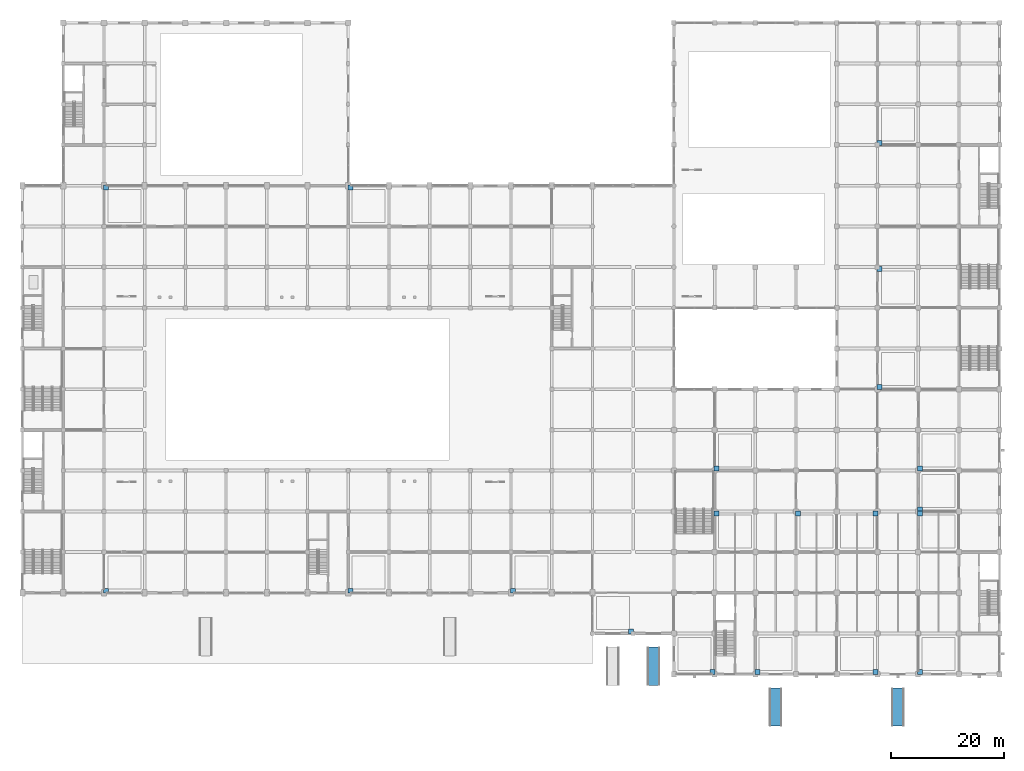
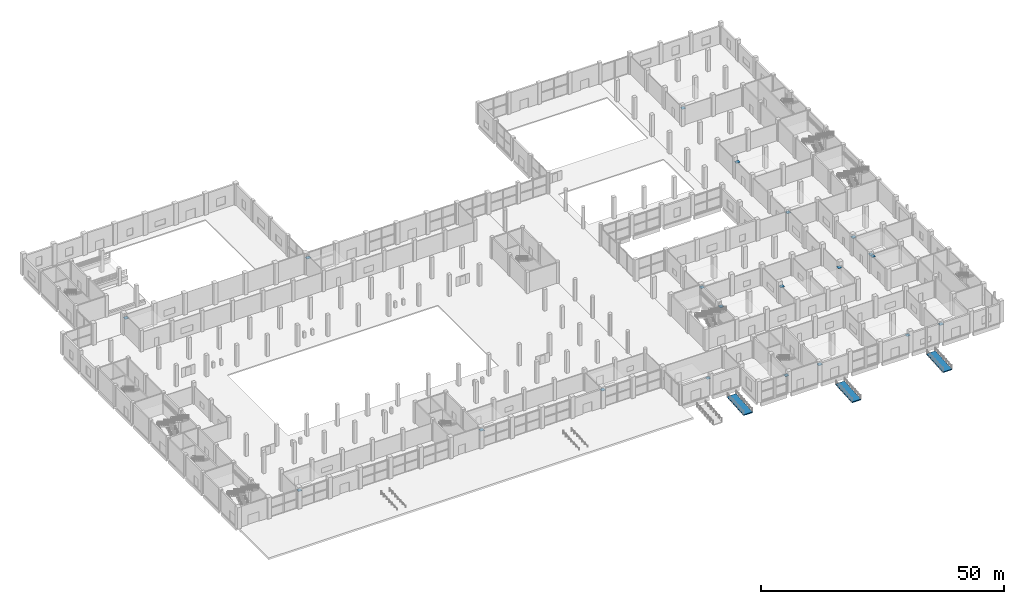
# One storey, part 56 of 70: 20 discrete accessories, 3 ramp flights, 3 elements without a shape of their own.
"""IFC4 building model written with IfcOpenShell, lengths in metres."""

from ifc_helpers import new_model, si_unit, direction, frame, origin, origin_2d, place, context, subcontext, project, spatial, polyline, rectangle, outline, extrude, material, layer, layer_set, type_object, element, aggregate, save


model = new_model("IFC4")

# Units and contexts
model_context = context("Model", 3, precision=1e-05, world=origin(), true_north=direction((0.0, 1.0)))
body_context = subcontext(model_context, "Body", "Model", "MODEL_VIEW")
ifc_project = project(units=[si_unit("LENGTHUNIT", "METRE"), si_unit("AREAUNIT", "SQUARE_METRE"), si_unit("VOLUMEUNIT", "CUBIC_METRE"), si_unit("PLANEANGLEUNIT", "RADIAN"), si_unit("MASSUNIT", "GRAM", prefix="KILO")], contexts=[model_context])

# Site, building, storey
site_placement = place(None, origin())
site = spatial("IfcSite", under=ifc_project, at=site_placement, CompositionType="ELEMENT")
building_placement = place(site_placement, origin())
building = spatial("IfcBuilding", under=site, at=building_placement, Name="Vesperath Aquatics Centre", CompositionType="ELEMENT")
storey_placement = place(building_placement, origin())
storey = spatial("IfcBuildingStorey", under=building, at=storey_placement, Name="L00", CompositionType="ELEMENT", Elevation=0.0)

# Ramp, ramp flight
ifc_material_1 = material(Name="Granite-paved reinforced concrete C35", Category="masonry")
ramp_type = type_object("IfcRampType", Name="RM-AR01", PredefinedType="STRAIGHT_RUN_RAMP", material=ifc_material_1)
ramp_1_placement = place(storey_placement, origin())
ramp_1 = element("IfcRamp", 1, at=ramp_1_placement, inside=storey, type_object=ramp_type, Name="Accessible Arrival Ramp RMP1 RMP_FC_E", PredefinedType="STRAIGHT_RUN_RAMP")
ifc_layer = layer(ifc_material_1, 0.239990234375)
ifc_layer_set = layer_set([ifc_layer], Name="Granite-paved reinforced concrete C35")
ramp_flight_type = type_object("IfcRampFlightType", Name="RF-ARF1", PredefinedType="STRAIGHT", material=ifc_layer_set)
ramp_flight_1_placement = place(storey_placement, frame((111.60009765625, -2.0, -0.449951171875), z_axis=(0.0, 0.0, 1.0), x_axis=(0.0, 1.0, 0.0)))
ramp_flight_1 = element("IfcRampFlight", 2, at=ramp_flight_1_placement, type_object=ramp_flight_type, Name="Accessible Ramp Flight RMF1 RMP_FC_E", PredefinedType="STRAIGHT", context=body_context, shape_type="SweptSolid", body=[
    extrude(outline(polyline([(0.0, -0.239990234375), (6.800048828125, 0.2099609375), (6.800048828125, 0.449951171875), (0.0, 0.0), (0.0, -0.239990234375)])), frame((0.0, 1.050048828125, 0.0), z_axis=(0.0, -1.0, 0.0), x_axis=(1.0, 0.0, 0.0)), (0.0, 0.0, 1.0), 2.10009765625),
])
aggregate(ramp_1, [ramp_flight_1])

ramp_2_placement = place(storey_placement, origin())
ramp_2 = element("IfcRamp", 3, at=ramp_2_placement, inside=storey, type_object=ramp_type, Name="Accessible Arrival Ramp RMP1 RMP_V4_S", PredefinedType="STRAIGHT_RUN_RAMP")
ramp_flight_2_placement = place(storey_placement, frame((133.199951171875, -9.199951171875, -0.449951171875), z_axis=(0.0, 0.0, 1.0), x_axis=(0.0, 1.0, 0.0)))
ramp_flight_2 = element("IfcRampFlight", 4, at=ramp_flight_2_placement, type_object=ramp_flight_type, Name="Accessible Ramp Flight RMF1 RMP_V4_S", PredefinedType="STRAIGHT", context=body_context, shape_type="SweptSolid", body=[
    extrude(outline(polyline([(0.0, -0.239990234375), (6.800048828125, 0.2099609375), (6.800048828125, 0.449951171875), (0.0, 0.0), (0.0, -0.239990234375)])), frame((0.0, 1.050048828125, 0.0), z_axis=(0.0, -1.0, 0.0), x_axis=(1.0, 0.0, 0.0)), (0.0, 0.0, 1.0), 2.10009765625),
])
aggregate(ramp_2, [ramp_flight_2])

ramp_3_placement = place(storey_placement, origin())
ramp_3 = element("IfcRamp", 5, at=ramp_3_placement, inside=storey, type_object=ramp_type, Name="Accessible Arrival Ramp RMP1 RMP_V4_E", PredefinedType="STRAIGHT_RUN_RAMP")
ramp_flight_3_placement = place(storey_placement, frame((154.800048828125, -9.199951171875, -0.449951171875), z_axis=(0.0, 0.0, 1.0), x_axis=(0.0, 1.0, 0.0)))
ramp_flight_3 = element("IfcRampFlight", 6, at=ramp_flight_3_placement, type_object=ramp_flight_type, Name="Accessible Ramp Flight RMF1 RMP_V4_E", PredefinedType="STRAIGHT", context=body_context, shape_type="SweptSolid", body=[
    extrude(outline(polyline([(0.0, -0.239990234375), (6.800048828125, 0.2099609375), (6.800048828125, 0.449951171875), (0.0, 0.0), (0.0, -0.239990234375)])), frame((0.0, 1.050048828125, 0.0), z_axis=(0.0, -1.0, 0.0), x_axis=(1.0, 0.0, 0.0)), (0.0, 0.0, 1.0), 2.10009765625),
])
aggregate(ramp_3, [ramp_flight_3])

# Discrete accessories
ifc_material_2 = material(Name="Stainless steel facade anchor bracket", Category="steel")
discrete_accessory_type = type_object("IfcDiscreteAccessoryType", Name="DA-BRK01", PredefinedType="BRACKET", material=ifc_material_2)
for number, where, z_axis, x_axis, name in (
    (7, (107.639892578125, 7.56005859375, 4.02001953125), (0.0, 0.0, 1.0), (1.0, 0.0, 0.0), "Ceiling Perimeter Suspension Bracket BK01 L00_FOYER"),
    (8, (14.760009765625, 14.760009765625, 4.02001953125), (0.0, 0.0, 1.0), (1.0, 0.0, 0.0), "Ceiling Perimeter Suspension Bracket BK01 L00_CALL_RM"),
    (9, (57.9599609375, 14.760009765625, 4.02001953125), (0.0, 0.0, 1.0), (1.0, 0.0, 0.0), "Ceiling Perimeter Suspension Bracket BK01 L00_OFFICIALS"),
    (10, (86.760009765625, 14.760009765625, 4.02001953125), (0.0, 0.0, 1.0), (1.0, 0.0, 0.0), "Ceiling Perimeter Suspension Bracket BK01 L00_FIRST_AID"),
    (11, (14.760009765625, 86.0400390625, 4.02001953125), (0.0, 0.0, 1.0), (1.0, 0.0, 0.0), "Ceiling Perimeter Suspension Bracket BK01 L00_POOL_EQ"),
    (12, (57.9599609375, 86.0400390625, 4.02001953125), (0.0, 0.0, 1.0), (1.0, 0.0, 0.0), "Ceiling Perimeter Suspension Bracket BK01 L00_MEDIA_MIX"),
    (13, (151.56005859375, 50.760009765625, 4.02001953125), (0.0, 0.0, 1.0), (1.0, 0.0, 0.0), "Ceiling Perimeter Suspension Bracket BK01 L00_CHG_M"),
    (14, (151.56005859375, 71.639892578125, 4.02001953125), (0.0, 0.0, 1.0), (1.0, 0.0, 0.0), "Ceiling Perimeter Suspension Bracket BK01 L00_CHG_F"),
    (15, (151.56005859375, 93.9599609375, 4.02001953125), (0.0, 0.0, 1.0), (1.0, 0.0, 0.0), "Ceiling Perimeter Suspension Bracket BK01 L00_CHG_FAM"),
    (16, (122.0400390625, 0.360107421875, 4.02001953125), (0.0, 0.0, 1.0), (1.0, 0.0, 0.0), "Ceiling Perimeter Suspension Bracket BK01 L00_CAFE"),
    (17, (129.9599609375, 0.360107421875, 4.02001953125), (0.0, 0.0, 1.0), (1.0, 0.0, 0.0), "Ceiling Perimeter Suspension Bracket BK01 L00_CAFE_S"),
    (18, (150.840087890625, 0.360107421875, 4.02001953125), (0.0, 0.0, 1.0), (1.0, 0.0, 0.0), "Ceiling Perimeter Suspension Bracket BK01 L00_SHOP"),
    (19, (158.760009765625, 0.360107421875, 4.02001953125), (0.0, 0.0, 1.0), (1.0, 0.0, 0.0), "Ceiling Perimeter Suspension Bracket BK01 L00_FCC"),
    (20, (122.760009765625, 28.43994140625, 4.02001953125), (0.0, 0.0, 1.0), (1.0, 0.0, 0.0), "Ceiling Perimeter Suspension Bracket BK01 L00_KITCH"),
    (21, (137.159912109375, 28.43994140625, 4.02001953125), (0.0, 0.0, 1.0), (1.0, 0.0, 0.0), "Ceiling Perimeter Suspension Bracket BK01 L00_CLUB_REC"),
    (22, (122.760009765625, 36.360107421875, 4.02001953125), (0.0, 0.0, 1.0), (1.0, 0.0, 0.0), "Ceiling Perimeter Suspension Bracket BK01 L00_COMMUNITY"),
    (23, (158.760009765625, 28.43994140625, 4.02001953125), (0.0, 0.0, 1.0), (1.0, 0.0, 0.0), "Ceiling Perimeter Suspension Bracket BK01 L00_MWC"),
    (24, (158.760009765625, 29.159912109375, 4.02001953125), (0.0, 0.0, 1.0), (1.0, 0.0, 0.0), "Ceiling Perimeter Suspension Bracket BK01 L00_FWC"),
    (25, (150.840087890625, 28.43994140625, 4.02001953125), (0.0, 0.0, 1.0), (1.0, 0.0, 0.0), "Ceiling Perimeter Suspension Bracket BK01 L00_AWC"),
    (26, (158.760009765625, 36.360107421875, 4.02001953125), (0.0, 0.0, 1.0), (1.0, 0.0, 0.0), "Ceiling Perimeter Suspension Bracket BK01 L00_LOADING"),
):
    element("IfcDiscreteAccessory", number, at=place(storey_placement, frame(where, z_axis=z_axis, x_axis=x_axis)), inside=storey, type_object=discrete_accessory_type, Name=name, PredefinedType="BRACKET", context=body_context, shape_type="SweptSolid", body=[
        extrude(rectangle(XDim=0.8798828125, YDim=0.8798828125, at=origin_2d()), origin(), (0.0, 0.0, 1.0), 0.054931640625),
    ])

save(model, "model.ifc")
